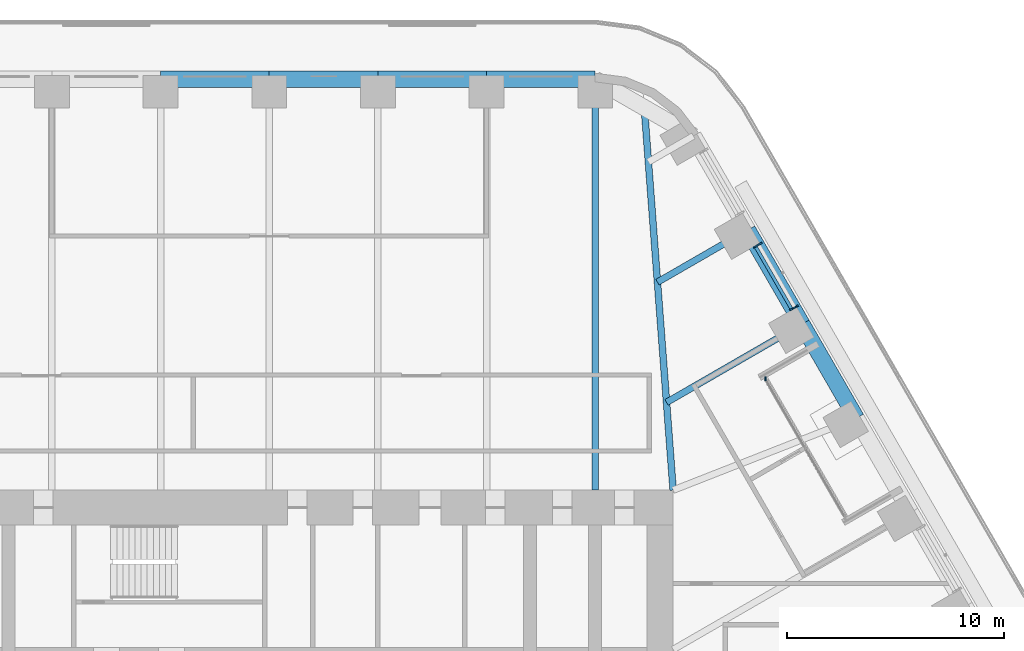
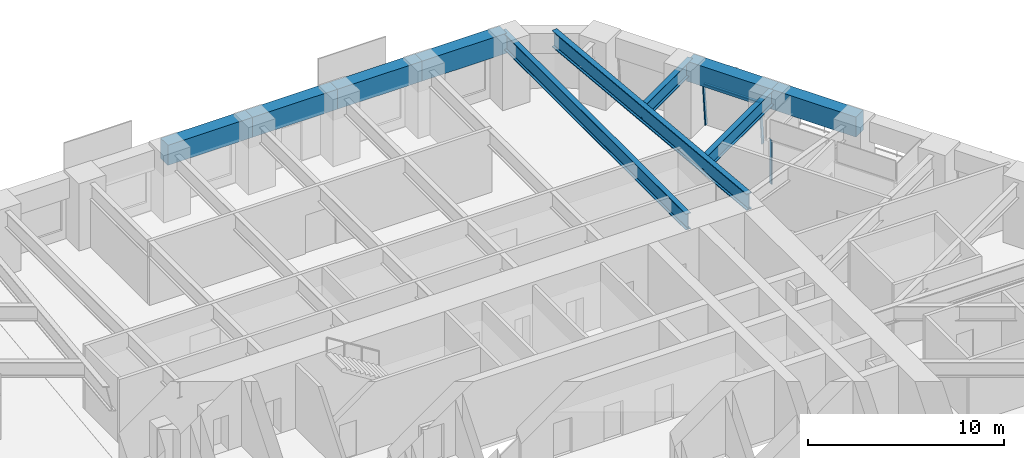
# One storey, part 12 of 24: 10 beams, 4 members, 2 elements without a shape of their own.
"""IFC4 building model written with IfcOpenShell, lengths in metres."""

from ifc_helpers import new_model, si_unit, direction, frame, origin, origin_2d, place, context, subcontext, project, spatial, rectangle, i_section, extrude, material, material_profile, profile_set, type_object, element, aggregate, save


model = new_model("IFC4")

# Units and contexts
model_context = context("Model", 3, precision=1e-05, world=origin(), true_north=direction((0.0, 1.0)))
body_context = subcontext(model_context, "Body", "Model", "MODEL_VIEW")
ifc_project = project(units=[si_unit("LENGTHUNIT", "METRE"), si_unit("AREAUNIT", "SQUARE_METRE"), si_unit("VOLUMEUNIT", "CUBIC_METRE"), si_unit("PLANEANGLEUNIT", "RADIAN"), si_unit("MASSUNIT", "GRAM", prefix="KILO")], contexts=[model_context])

# Site, building, storey
site_placement = place(None, origin())
site = spatial("IfcSite", under=ifc_project, at=site_placement, CompositionType="ELEMENT")
building_placement = place(site_placement, origin())
building = spatial("IfcBuilding", under=site, at=building_placement, Name="Tarfa Lantern Tower", CompositionType="ELEMENT")
storey_placement = place(building_placement, frame((0.0, 0.0, 140.5)))
storey = spatial("IfcBuildingStorey", under=building, at=storey_placement, Name="L31", CompositionType="ELEMENT", Elevation=140.5)

# Curtain wall, members
ifc_material_1 = material(Name="Aluminium framed curtain wall", Category="aluminium")
curtain_wall_type_1 = type_object("IfcCurtainWallType", Name="CW2 CANTED GLAZING MID ZONE 2750", PredefinedType="USERDEFINED", material=ifc_material_1)
curtain_wall_1_placement = place(storey_placement, origin())
curtain_wall_1 = element("IfcCurtainWall", 1, at=curtain_wall_1_placement, inside=storey, type_object=curtain_wall_type_1, Name="CW2 NEB L31", ObjectType="CURTAIN WALL", PredefinedType="USERDEFINED")
ifc_material_2 = material(Name="Aluminium mullion", Category="aluminium")
ifc_material_profile_1 = material_profile(ifc_material_2, rectangle(XDim=0.06494140625, YDim=0.199951171875, at=origin_2d()), Name="AL MULLION 65x200")
ifc_profile_set_1 = profile_set([ifc_material_profile_1], Name="Aluminium mullion")
member_type_1 = type_object("IfcMemberType", Name="CWM1 MULLION 65x200", PredefinedType="MULLION", material=ifc_profile_set_1)
member_1_placement = place(storey_placement, frame((24.275146484375, 20.75439453125, 0.0), z_axis=(-0.078422950161, -0.045267813396, 0.995891894715), x_axis=(0.499919672301, -0.866071776036, 0.0)))
member_1 = element("IfcMember", 2, at=member_1_placement, type_object=member_type_1, Name="CW2 mullion 1", PredefinedType="MULLION", context=body_context, shape_type="SweptSolid", body=[
    extrude(rectangle(XDim=0.06494140625, YDim=0.199951171875, at=origin_2d()), origin(), (0.0, 0.0, 1.0), 2.76123046875),
])
member_2_placement = place(storey_placement, frame((22.605712890625, 23.645751953125, 0.0), z_axis=(-0.078422950161, -0.045267813396, 0.995891894715), x_axis=(0.499919672301, -0.866071776036, 0.0)))
member_2 = element("IfcMember", 3, at=member_2_placement, type_object=member_type_1, Name="CW2 mullion 2", PredefinedType="MULLION", context=body_context, shape_type="SweptSolid", body=[
    extrude(rectangle(XDim=0.06494140625, YDim=0.199951171875, at=origin_2d()), origin(), (0.0, 0.0, 1.0), 2.76123046875),
])

# Curtain wall, member
curtain_wall_type_2 = type_object("IfcCurtainWallType", Name="CW10 LOGGIA GLAZING 2750", PredefinedType="USERDEFINED", material=ifc_material_1)
curtain_wall_2_placement = place(storey_placement, origin())
curtain_wall_2 = element("IfcCurtainWall", 4, at=curtain_wall_2_placement, inside=storey, type_object=curtain_wall_type_2, Name="CW10 NEL L31", ObjectType="CURTAIN WALL", PredefinedType="USERDEFINED")
member_3_placement = place(storey_placement, frame((22.84619140625, 17.429443359375, 0.0), z_axis=(0.0, 0.0, 1.0), x_axis=(1.0, 0.0, 0.0)))
member_3 = element("IfcMember", 5, at=member_3_placement, type_object=member_type_1, Name="CW10 mullion 3", PredefinedType="MULLION", context=body_context, shape_type="SweptSolid", body=[
    extrude(rectangle(XDim=0.06494140625, YDim=0.199951171875, at=origin_2d()), origin(), (0.0, 0.0, 1.0), 2.75),
])
aggregate(curtain_wall_2, [member_3])

# Member
ifc_material_3 = material(Name="Aluminium transom", Category="aluminium")
ifc_material_profile_2 = material_profile(ifc_material_3, rectangle(XDim=0.14990234375, YDim=0.06494140625, at=origin_2d()), Name="AL TRANSOM 150x65")
ifc_profile_set_2 = profile_set([ifc_material_profile_2], Name="Aluminium transom")
member_type_2 = type_object("IfcMemberType", Name="CWT1 TRANSOM 150x65", PredefinedType="USERDEFINED", material=ifc_profile_set_2)
member_4_placement = place(storey_placement, frame((24.044921875, 20.658935546875, 2.717529296875), z_axis=(-0.500012937857, 0.86601793398, 0.0), x_axis=(-0.86601793398, -0.500012937857, 0.0)))
member_4 = element("IfcMember", 6, at=member_4_placement, type_object=member_type_2, Name="CW2 transom 1.2", ObjectType="TRANSOM", PredefinedType="USERDEFINED", context=body_context, shape_type="SweptSolid", body=[
    extrude(rectangle(XDim=0.14990234375, YDim=0.06494140625, at=origin_2d()), origin(), (0.0, 0.0, 1.0), 3.27392578125),
])

aggregate(curtain_wall_1, [member_1, member_2, member_4])

# Beams
ifc_material_4 = material(Name="Concrete C80/95", Category="concrete")
ifc_material_profile_3 = material_profile(ifc_material_4, rectangle(XDim=0.75, YDim=1.25, at=origin_2d()), Name="RC 750x1250")
ifc_profile_set_3 = profile_set([ifc_material_profile_3], Name="Concrete C80/95")
beam_type_1 = type_object("IfcBeamType", Name="EB2 RC 750x1250", PredefinedType="SPANDREL", material=ifc_profile_set_3)
for number, where, z_axis, x_axis, name in (
    (7, (27.037353515625, 15.610107421875, 3.375), (-0.500022324899, 0.866012514114, 0.0), (-0.866012514114, -0.500022324899, 0.0), "Edge beam NE3"),
    (8, (24.535400390625, 19.943359375, 3.375), (-0.49998573051, 0.866033642122, 0.0), (-0.866033642122, -0.49998573051, 0.0), "Edge beam NE4"),
    (9, (15.010986328125, 31.219970703125, 3.375), (-1.0, 0.0, 0.0), (0.0, -1.0, 0.0), "Edge beam N0"),
    (10, (10.00732421875, 31.219970703125, 3.375), (-1.0, 0.0, 0.0), (0.0, -1.0, 0.0), "Edge beam N1"),
    (11, (5.003662109375, 31.219970703125, 3.375), (-1.0, 0.0, 0.0), (0.0, -1.0, 0.0), "Edge beam N2"),
    (12, (0.0, 31.219970703125, 3.375), (-1.0, 0.0, 0.0), (0.0, -1.0, 0.0), "Edge beam N3"),
):
    element("IfcBeam", number, at=place(storey_placement, frame(where, z_axis=z_axis, x_axis=x_axis)), inside=storey, type_object=beam_type_1, Name=name, PredefinedType="SPANDREL", context=body_context, shape_type="SweptSolid", body=[
        extrude(rectangle(XDim=0.75, YDim=1.25, at=origin_2d()), origin(), (0.0, 0.0, 1.0), 5.003662109375),
    ])
ifc_material_5 = material(Name="Steel S460M", Category="steel")
ifc_material_profile_4 = material_profile(ifc_material_5, i_section(OverallWidth=0.302001953125, OverallDepth=1.008056640625, WebThickness=0.02099609375, FlangeThickness=0.0400390625, FilletRadius=0.030029296875, at=origin_2d()), Name="UB1016x305x349")
ifc_profile_set_4 = profile_set([ifc_material_profile_4], Name="Steel S460M")
beam_type_2 = type_object("IfcBeamType", Name="UB1016x305x349", PredefinedType="BEAM", material=ifc_profile_set_4)
beam_1_placement = place(storey_placement, frame((15.010986328125, 31.219970703125, 3.495849609375), z_axis=(0.0, -1.0, 0.0), x_axis=(1.0, 0.0, 0.0)))
element("IfcBeam", 13, at=beam_1_placement, inside=storey, type_object=beam_type_2, Name="Floor beam N0", PredefinedType="BEAM", context=body_context, shape_type="SweptSolid", body=[
    extrude(i_section(OverallWidth=0.302001953125, OverallDepth=1.008056640625, WebThickness=0.02099609375, FlangeThickness=0.0400390625, FilletRadius=0.030029296875, at=origin_2d()), origin(), (0.0, 0.0, 1.0), 18.919921875),
])
ifc_material_profile_5 = material_profile(ifc_material_5, i_section(OverallWidth=0.30859375, OverallDepth=1.036376953125, WebThickness=0.030029296875, FlangeThickness=0.05419921875, FilletRadius=0.030029296875, at=origin_2d()), Name="UB1016x305x487")
ifc_profile_set_5 = profile_set([ifc_material_profile_5], Name="Steel S460M")
beam_type_3 = type_object("IfcBeamType", Name="UB1016x305x487", PredefinedType="BEAM", material=ifc_profile_set_5)
beam_2_placement = place(storey_placement, frame((18.60009765625, 12.300048828125, 3.48193359375), z_axis=(-0.075211516041, 0.99716760269, 0.0), x_axis=(-0.99716760269, -0.075211516041, 0.0)))
element("IfcBeam", 14, at=beam_2_placement, inside=storey, type_object=beam_type_3, Name="Hip girder NE", PredefinedType="BEAM", context=body_context, shape_type="SweptSolid", body=[
    extrude(i_section(OverallWidth=0.30859375, OverallDepth=1.036376953125, WebThickness=0.030029296875, FlangeThickness=0.05419921875, FilletRadius=0.030029296875, at=origin_2d()), origin(), (0.0, 0.0, 1.0), 17.6650390625),
])
ifc_material_profile_6 = material_profile(ifc_material_5, i_section(OverallWidth=0.305419921875, OverallDepth=0.91845703125, WebThickness=0.017333984375, FlangeThickness=0.02783203125, FilletRadius=0.01904296875, at=origin_2d()), Name="UB914x305x253")
ifc_profile_set_6 = profile_set([ifc_material_profile_6], Name="Steel S460M")
beam_type_4 = type_object("IfcBeamType", Name="UB914x305x253", PredefinedType="BEAM", material=ifc_profile_set_6)
beam_3_placement = place(storey_placement, frame((24.535400390625, 19.943359375, 3.540771484375), z_axis=(-0.86602647304, -0.499998147991, 0.0), x_axis=(0.499998147991, -0.86602647304, 0.0)))
element("IfcBeam", 15, at=beam_3_placement, inside=storey, type_object=beam_type_4, Name="Floor beam NE4", PredefinedType="BEAM", context=body_context, shape_type="SweptSolid", body=[
    extrude(i_section(OverallWidth=0.305419921875, OverallDepth=0.91845703125, WebThickness=0.017333984375, FlangeThickness=0.02783203125, FilletRadius=0.01904296875, at=origin_2d()), origin(), (0.0, 0.0, 1.0), 7.20556640625),
])
beam_4_placement = place(storey_placement, frame((22.03369140625, 24.276611328125, 3.540771484375), z_axis=(-0.866030550462, -0.499991085587, 0.0), x_axis=(0.499991085587, -0.866030550462, 0.0)))
element("IfcBeam", 16, at=beam_4_placement, inside=storey, type_object=beam_type_4, Name="Floor beam NE5", PredefinedType="BEAM", context=body_context, shape_type="SweptSolid", body=[
    extrude(i_section(OverallWidth=0.305419921875, OverallDepth=0.91845703125, WebThickness=0.017333984375, FlangeThickness=0.02783203125, FilletRadius=0.01904296875, at=origin_2d()), origin(), (0.0, 0.0, 1.0), 4.798828125),
])

save(model, "model.ifc")
